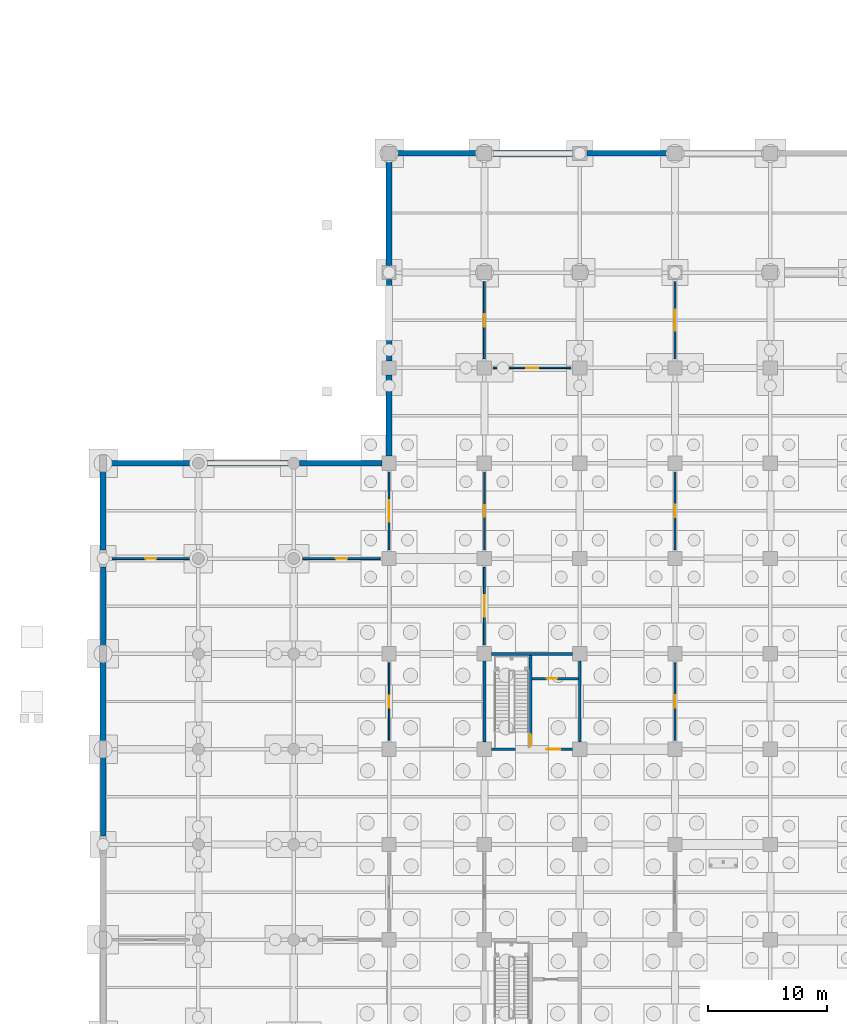
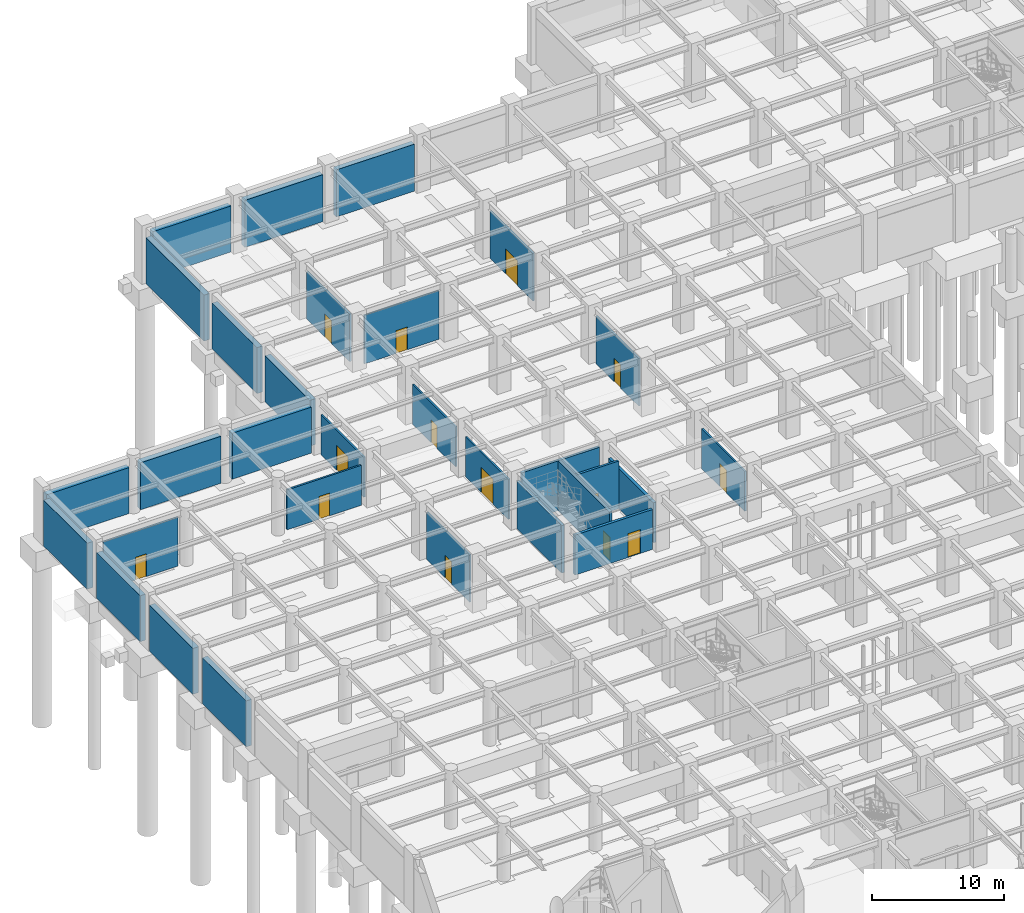
# One storey, part 79 of 97: 30 walls, 14 doors, 14 openings.
"""IFC4 building model written with IfcOpenShell, lengths in metres."""

from ifc_helpers import new_model, si_unit, direction, frame, frame_2d, origin, place, context, subcontext, project, spatial, rectangle, extrude, material, layer, layer_set, type_object, element, fill, save


model = new_model("IFC4")

# Units and contexts
model_context = context("Model", 3, precision=1e-05, world=origin(), true_north=direction((0.0, 1.0)))
body_context = subcontext(model_context, "Body", "Model", "MODEL_VIEW")
ifc_project = project(units=[si_unit("LENGTHUNIT", "METRE"), si_unit("AREAUNIT", "SQUARE_METRE"), si_unit("VOLUMEUNIT", "CUBIC_METRE"), si_unit("PLANEANGLEUNIT", "RADIAN"), si_unit("MASSUNIT", "GRAM", prefix="KILO")], contexts=[model_context])

# Site, building, storey
site_placement = place(None, origin())
site = spatial("IfcSite", under=ifc_project, at=site_placement, CompositionType="ELEMENT")
building_placement = place(site_placement, origin())
building = spatial("IfcBuilding", under=site, at=building_placement, Name="Haebicheon Civic Stadium", CompositionType="ELEMENT")
storey_placement = place(building_placement, frame((0.0, 0.0, -5.39990234375)))
storey = spatial("IfcBuildingStorey", under=building, at=storey_placement, Name="B1", CompositionType="ELEMENT", Elevation=-5.39990234375)

# Wall, opening, door
ifc_material_1 = material(Name="Concrete C40/50", Category="concrete")
ifc_layer_1 = layer(ifc_material_1, 0.239990234375, Name="Concrete C40/50")
ifc_layer_set_1 = layer_set([ifc_layer_1], Name="Concrete C40/50")
wall_type_1 = type_object("IfcWallType", Name="CW-SHR-240", PredefinedType="SHEAR", material=ifc_layer_set_1)
wall_1_placement = place(storey_placement, frame((32.60009765625, 128.0, 0.0), z_axis=(0.0, 0.0, 1.0), x_axis=(1.0, 0.0, 0.0)))
wall_1 = element("IfcWall", 1, at=wall_1_placement, inside=storey, type_object=wall_type_1, material=ifc_layer_set_1, Name="KC-05 B1 south core shear wall", PredefinedType="SHEAR", context=body_context, shape_type="SweptSolid", body=[
    extrude(rectangle(XDim=6.7998046875, YDim=0.239990234375, at=frame_2d((3.39990234375, 0.0))), origin(), (0.0, 0.0, 1.0), 3.68994140625),
])
opening_1_placement = place(wall_1_placement, frame((4.64990234375, 0.0, 0.0)))
opening_1 = element("IfcOpeningElement", 2, at=opening_1_placement, cuts=wall_1, Name="Opening D-B1-KC-05-LOB", PredefinedType="OPENING", context=body_context, shape_type="SweptSolid", body=[
    extrude(rectangle(XDim=1.10009765625, YDim=2.199951171875, at=frame_2d((0.550048828125, 1.10009765625))), frame((0.0, 0.1298828125, 0.0), z_axis=(0.0, -1.0, 0.0), x_axis=(1.0, 0.0, 0.0)), (0.0, 0.0, 1.0), 0.260009765625),
])
ifc_material_2 = material(Name="Galvanised painted steel SM355", Category="steel")
door_type_1 = type_object("IfcDoorType", Name="ID-FD-1100", OperationType="NOTDEFINED", PredefinedType="DOOR", material=ifc_material_2)
door_1_placement = place(opening_1_placement, origin())
door_1 = element("IfcDoor", 3, at=door_1_placement, inside=storey, type_object=door_type_1, material=ifc_material_2, Name="B1 KC-05 lobby fire door", OperationType="SINGLE_SWING_RIGHT", OverallHeight=2.199951171875, OverallWidth=1.10009765625, PredefinedType="DOOR", context=body_context, shape_type="SweptSolid", body=[
    extrude(rectangle(XDim=1.10009765625, YDim=2.199951171875, at=frame_2d((0.550048828125, 1.10009765625))), frame((0.0, 0.02490234375, 0.0), z_axis=(0.0, -1.0, 0.0), x_axis=(1.0, 0.0, 0.0)), (0.0, 0.0, 1.0), 0.050048828125),
])
fill(opening_1, door_1)

# Walls
wall_2_placement = place(storey_placement, frame((32.60009765625, 136.0, 0.0), z_axis=(0.0, 0.0, 1.0), x_axis=(1.0, 0.0, 0.0)))
element("IfcWall", 4, at=wall_2_placement, inside=storey, type_object=wall_type_1, material=ifc_layer_set_1, Name="KC-05 B1 north core shear wall", PredefinedType="SHEAR", context=body_context, shape_type="SweptSolid", body=[
    extrude(rectangle(XDim=6.7998046875, YDim=0.239990234375, at=frame_2d((3.39990234375, 0.0))), origin(), (0.0, 0.0, 1.0), 4.58984375),
])
wall_3_placement = place(storey_placement, frame((32.0, 128.60009765625, 0.0), z_axis=(0.0, 0.0, 1.0), x_axis=(0.0, 1.0, 0.0)))
element("IfcWall", 5, at=wall_3_placement, inside=storey, type_object=wall_type_1, material=ifc_layer_set_1, Name="KC-05 B1 west core shear wall", PredefinedType="SHEAR", context=body_context, shape_type="SweptSolid", body=[
    extrude(rectangle(XDim=6.7998046875, YDim=0.239990234375, at=frame_2d((3.39990234375, 0.0))), origin(), (0.0, 0.0, 1.0), 4.389892578125),
])
wall_4_placement = place(storey_placement, frame((40.0, 128.60009765625, 0.0), z_axis=(0.0, 0.0, 1.0), x_axis=(0.0, 1.0, 0.0)))
element("IfcWall", 6, at=wall_4_placement, inside=storey, type_object=wall_type_1, material=ifc_layer_set_1, Name="KC-05 B1 east core shear wall", PredefinedType="SHEAR", context=body_context, shape_type="SweptSolid", body=[
    extrude(rectangle(XDim=6.7998046875, YDim=0.239990234375, at=frame_2d((3.39990234375, 0.0))), origin(), (0.0, 0.0, 1.0), 3.68994140625),
])

# Wall, opening, door
wall_5_placement = place(storey_placement, frame((35.8798828125, 128.1201171875, 0.0), z_axis=(0.0, 0.0, 1.0), x_axis=(0.0, 1.0, 0.0)))
wall_5 = element("IfcWall", 7, at=wall_5_placement, inside=storey, type_object=wall_type_1, material=ifc_layer_set_1, Name="KC-05 B1 stair-lobby dividing shear wall", PredefinedType="SHEAR", context=body_context, shape_type="SweptSolid", body=[
    extrude(rectangle(XDim=7.759765625, YDim=0.239990234375, at=frame_2d((3.8798828125, 0.0))), origin(), (0.0, 0.0, 1.0), 4.58984375),
])
opening_2_placement = place(wall_5_placement, frame((0.080078125, 0.0, 0.0)))
opening_2 = element("IfcOpeningElement", 8, at=opening_2_placement, cuts=wall_5, Name="Opening D-B1-KC-05-STR", PredefinedType="OPENING", context=body_context, shape_type="SweptSolid", body=[
    extrude(rectangle(XDim=1.050048828125, YDim=2.14990234375, at=frame_2d((0.52490234375, 1.074951171875))), frame((0.0, 0.1298828125, 0.0), z_axis=(0.0, -1.0, 0.0), x_axis=(1.0, 0.0, 0.0)), (0.0, 0.0, 1.0), 0.260009765625),
])
ifc_material_3 = material(Name="Galvanised painted steel SM355", Category="steel")
door_type_2 = type_object("IfcDoorType", Name="ID-FD-1050", OperationType="NOTDEFINED", PredefinedType="DOOR", material=ifc_material_3)
door_2_placement = place(opening_2_placement, origin())
door_2 = element("IfcDoor", 9, at=door_2_placement, inside=storey, type_object=door_type_2, material=ifc_material_3, Name="B1 ST-05 stairwell escape door", OperationType="SINGLE_SWING_LEFT", OverallHeight=2.14990234375, OverallWidth=1.050048828125, PredefinedType="DOOR", context=body_context, shape_type="SweptSolid", body=[
    extrude(rectangle(XDim=1.050048828125, YDim=2.14990234375, at=frame_2d((0.52490234375, 1.074951171875))), frame((0.0, 0.02490234375, 0.0), z_axis=(0.0, -1.0, 0.0), x_axis=(1.0, 0.0, 0.0)), (0.0, 0.0, 1.0), 0.050048828125),
])
fill(opening_2, door_2)

# Walls
ifc_material_4 = material(Name="Concrete C40/50", Category="concrete")
ifc_layer_2 = layer(ifc_material_4, 0.4599609375, Name="Concrete C40/50")
ifc_layer_set_2 = layer_set([ifc_layer_2], Name="Concrete C40/50")
wall_type_2 = type_object("IfcWallType", Name="EW-RET-460", PredefinedType="STANDARD", material=ifc_layer_set_2)
for number, where, z_axis, x_axis, name in (
    (10, (0.0, 120.699951171875, 0.0), (0.0, 0.0, 1.0), (0.0, 1.0, 0.0), "B1 retaining wall 00-15-W"),
    (11, (0.0, 136.699951171875, 0.0), (0.0, 0.0, 1.0), (0.0, 1.0, 0.0), "B1 retaining wall 00-17-W"),
):
    element("IfcWall", number, at=place(storey_placement, frame(where, z_axis=z_axis, x_axis=x_axis)), inside=storey, type_object=wall_type_2, material=ifc_layer_set_2, Name=name, PredefinedType="STANDARD", context=body_context, shape_type="SweptSolid", body=[
        extrude(rectangle(XDim=6.60009765625, YDim=0.4599609375, at=frame_2d((3.300048828125, 0.0))), origin(), (0.0, 0.0, 1.0), 4.239990234375),
    ])
wall_6_placement = place(storey_placement, frame((0.300048828125, 152.0, 0.0), z_axis=(0.0, 0.0, 1.0), x_axis=(1.0, 0.0, 0.0)))
element("IfcWall", 12, at=wall_6_placement, inside=storey, type_object=wall_type_2, material=ifc_layer_set_2, Name="B1 retaining wall 00-19-N", PredefinedType="STANDARD", context=body_context, shape_type="SweptSolid", body=[
    extrude(rectangle(XDim=7.199951171875, YDim=0.4599609375, at=frame_2d((3.60009765625, 0.0))), origin(), (0.0, 0.0, 1.0), 4.239990234375),
])
wall_7_placement = place(storey_placement, frame((16.5, 152.0, 0.0), z_axis=(0.0, 0.0, 1.0), x_axis=(1.0, 0.0, 0.0)))
element("IfcWall", 13, at=wall_7_placement, inside=storey, type_object=wall_type_2, material=ifc_layer_set_2, Name="B1 retaining wall 02-19-N", PredefinedType="STANDARD", context=body_context, shape_type="SweptSolid", body=[
    extrude(rectangle(XDim=6.89990234375, YDim=0.4599609375, at=frame_2d((3.449951171875, 0.0))), origin(), (0.0, 0.0, 1.0), 4.239990234375),
])
for number, where, z_axis, x_axis, name in (
    (14, (24.0, 160.60009765625, 0.0), (0.0, 0.0, 1.0), (0.0, 1.0, 0.0), "B1 retaining wall 03-20-W"),
    (15, (24.60009765625, 178.0, 0.0), (0.0, 0.0, 1.0), (1.0, 0.0, 0.0), "B1 retaining wall 03-22-N"),
):
    element("IfcWall", number, at=place(storey_placement, frame(where, z_axis=z_axis, x_axis=x_axis)), inside=storey, type_object=wall_type_2, material=ifc_layer_set_2, Name=name, PredefinedType="STANDARD", context=body_context, shape_type="SweptSolid", body=[
        extrude(rectangle(XDim=6.7998046875, YDim=0.4599609375, at=frame_2d((3.39990234375, 0.0))), origin(), (0.0, 0.0, 1.0), 4.239990234375),
    ])
wall_8_placement = place(storey_placement, frame((40.60009765625, 178.0, 0.0), z_axis=(0.0, 0.0, 1.0), x_axis=(1.0, 0.0, 0.0)))
element("IfcWall", 16, at=wall_8_placement, inside=storey, type_object=wall_type_2, material=ifc_layer_set_2, Name="B1 retaining wall 05-22-N", PredefinedType="STANDARD", context=body_context, shape_type="SweptSolid", body=[
    extrude(rectangle(XDim=6.7998046875, YDim=0.4599609375, at=frame_2d((3.39990234375, 0.0))), origin(), (0.0, 0.0, 1.0), 4.33984375),
])
ifc_material_5 = material(Name="Concrete C40/50", Category="concrete")
ifc_layer_3 = layer(ifc_material_5, 0.5, Name="Concrete C40/50")
ifc_layer_set_3 = layer_set([ifc_layer_3], Name="Concrete C40/50")
wall_type_3 = type_object("IfcWallType", Name="EW-RET-500", PredefinedType="STANDARD", material=ifc_layer_set_3)
for number, where, z_axis, x_axis, name in (
    (17, (0.0, 128.699951171875, 0.0), (0.0, 0.0, 1.0), (0.0, 1.0, 0.0), "B1 retaining wall 00-16-W"),
    (18, (0.0, 144.699951171875, 0.0), (0.0, 0.0, 1.0), (0.0, 1.0, 0.0), "B1 retaining wall 00-18-W"),
):
    element("IfcWall", number, at=place(storey_placement, frame(where, z_axis=z_axis, x_axis=x_axis)), inside=storey, type_object=wall_type_3, material=ifc_layer_set_3, Name=name, PredefinedType="STANDARD", context=body_context, shape_type="SweptSolid", body=[
        extrude(rectangle(XDim=6.60009765625, YDim=0.5, at=frame_2d((3.300048828125, 0.0))), origin(), (0.0, 0.0, 1.0), 4.239990234375),
    ])
wall_9_placement = place(storey_placement, frame((8.5, 152.0, 0.0), z_axis=(0.0, 0.0, 1.0), x_axis=(1.0, 0.0, 0.0)))
element("IfcWall", 19, at=wall_9_placement, inside=storey, type_object=wall_type_3, material=ifc_layer_set_3, Name="B1 retaining wall 01-19-N", PredefinedType="STANDARD", context=body_context, shape_type="SweptSolid", body=[
    extrude(rectangle(XDim=7.0, YDim=0.5, at=frame_2d((3.5, 0.0))), origin(), (0.0, 0.0, 1.0), 4.33984375),
])
wall_10_placement = place(storey_placement, frame((24.0, 152.60009765625, 0.0), z_axis=(0.0, 0.0, 1.0), x_axis=(0.0, 1.0, 0.0)))
element("IfcWall", 20, at=wall_10_placement, inside=storey, type_object=wall_type_3, material=ifc_layer_set_3, Name="B1 retaining wall 03-19-W", PredefinedType="STANDARD", context=body_context, shape_type="SweptSolid", body=[
    extrude(rectangle(XDim=6.7998046875, YDim=0.5, at=frame_2d((3.39990234375, 0.0))), origin(), (0.0, 0.0, 1.0), 4.239990234375),
])
wall_11_placement = place(storey_placement, frame((24.0, 168.60009765625, 0.0), z_axis=(0.0, 0.0, 1.0), x_axis=(0.0, 1.0, 0.0)))
element("IfcWall", 21, at=wall_11_placement, inside=storey, type_object=wall_type_3, material=ifc_layer_set_3, Name="B1 retaining wall 03-21-W", PredefinedType="STANDARD", context=body_context, shape_type="SweptSolid", body=[
    extrude(rectangle(XDim=8.7998046875, YDim=0.5, at=frame_2d((4.39990234375, 0.0))), origin(), (0.0, 0.0, 1.0), 4.239990234375),
])
wall_12_placement = place(storey_placement, frame((32.60009765625, 178.0, 0.0), z_axis=(0.0, 0.0, 1.0), x_axis=(1.0, 0.0, 0.0)))
element("IfcWall", 22, at=wall_12_placement, inside=storey, type_object=wall_type_3, material=ifc_layer_set_3, Name="B1 retaining wall 04-22-N", PredefinedType="STANDARD", context=body_context, shape_type="SweptSolid", body=[
    extrude(rectangle(XDim=6.7998046875, YDim=0.5, at=frame_2d((3.39990234375, 0.0))), origin(), (0.0, 0.0, 1.0), 4.33984375),
])

# Wall, opening, door
ifc_material_6 = material(Name="Concrete C35/45", Category="concrete")
ifc_layer_4 = layer(ifc_material_6, 0.199951171875, Name="Concrete C35/45")
ifc_layer_set_4 = layer_set([ifc_layer_4], Name="Concrete C35/45")
wall_type_4 = type_object("IfcWallType", Name="IW-FIR-200", PredefinedType="PARTITIONING", material=ifc_layer_set_4)
wall_13_placement = place(storey_placement, frame((36.0, 133.919921875, 0.0), z_axis=(0.0, 0.0, 1.0), x_axis=(1.0, 0.0, 0.0)))
wall_13 = element("IfcWall", 23, at=wall_13_placement, inside=storey, type_object=wall_type_4, material=ifc_layer_set_4, Name="KC-05 B1 service riser wall", PredefinedType="PARTITIONING", context=body_context, shape_type="SweptSolid", body=[
    extrude(rectangle(XDim=3.8798828125, YDim=0.199951171875, at=frame_2d((1.93994140625, 0.0))), origin(), (0.0, 0.0, 1.0), 4.389892578125),
])
opening_3_placement = place(wall_13_placement, frame((1.25, 0.0, 0.0)))
opening_3 = element("IfcOpeningElement", 24, at=opening_3_placement, cuts=wall_13, Name="Opening D-B1-KC-05-RSR", PredefinedType="OPENING", context=body_context, shape_type="SweptSolid", body=[
    extrude(rectangle(XDim=0.85009765625, YDim=2.050048828125, at=frame_2d((0.425048828125, 1.02490234375))), frame((0.0, 0.10986328125, 0.0), z_axis=(0.0, -1.0, 0.0), x_axis=(1.0, 0.0, 0.0)), (0.0, 0.0, 1.0), 0.219970703125),
])
ifc_material_7 = material(Name="Galvanised painted steel SM355", Category="steel")
door_type_3 = type_object("IfcDoorType", Name="ID-RSR-0850", OperationType="NOTDEFINED", PredefinedType="TRAPDOOR", material=ifc_material_7)
door_3_placement = place(opening_3_placement, origin())
door_3 = element("IfcDoor", 25, at=door_3_placement, inside=storey, type_object=door_type_3, material=ifc_material_7, Name="B1 KC-05 riser access door", OperationType="SINGLE_SWING_RIGHT", OverallHeight=2.050048828125, OverallWidth=0.85009765625, PredefinedType="TRAPDOOR", context=body_context, shape_type="SweptSolid", body=[
    extrude(rectangle(XDim=0.85009765625, YDim=2.050048828125, at=frame_2d((0.425048828125, 1.02490234375))), frame((0.0, 0.02490234375, 0.0), z_axis=(0.0, -1.0, 0.0), x_axis=(1.0, 0.0, 0.0)), (0.0, 0.0, 1.0), 0.050048828125),
])
fill(opening_3, door_3)

ifc_material_8 = material(Name="Anodised aluminium acoustic panel", Category="aluminium")
ifc_layer_5 = layer(ifc_material_8, 0.139892578125, Name="Anodised aluminium acoustic panel")
ifc_layer_set_5 = layer_set([ifc_layer_5], Name="Anodised aluminium acoustic panel")
wall_type_5 = type_object("IfcWallType", Name="IW-MOV-140", PredefinedType="MOVABLE", material=ifc_layer_set_5)
wall_14_placement = place(storey_placement, frame((32.0, 144.75, 0.0), z_axis=(0.0, 0.0, 1.0), x_axis=(0.0, 1.0, 0.0)))
wall_14 = element("IfcWall", 26, at=wall_14_placement, inside=storey, type_object=wall_type_5, material=ifc_layer_set_5, Name="B1 Home Team Changing Room partition wall", PredefinedType="MOVABLE", context=body_context, shape_type="SweptSolid", body=[
    extrude(rectangle(XDim=6.5, YDim=0.139892578125, at=frame_2d((3.25, 0.0))), origin(), (0.0, 0.0, 1.0), 3.68994140625),
])
opening_4_placement = place(wall_14_placement, frame((2.77490234375, 0.0, 0.0)))
opening_4 = element("IfcOpeningElement", 27, at=opening_4_placement, cuts=wall_14, Name="Opening D-B1-019", PredefinedType="OPENING", context=body_context, shape_type="SweptSolid", body=[
    extrude(rectangle(XDim=0.949951171875, YDim=2.10009765625, at=frame_2d((0.47509765625, 1.050048828125))), frame((0.0, 0.079833984375, 0.0), z_axis=(0.0, -1.0, 0.0), x_axis=(1.0, 0.0, 0.0)), (0.0, 0.0, 1.0), 0.159912109375),
])
ifc_material_9 = material(Name="Engineered hardwood timber", Category="wood")
door_type_4 = type_object("IfcDoorType", Name="ID-RM-0950", OperationType="NOTDEFINED", PredefinedType="DOOR", material=ifc_material_9)
door_4_placement = place(opening_4_placement, origin())
door_4 = element("IfcDoor", 28, at=door_4_placement, inside=storey, type_object=door_type_4, material=ifc_material_9, Name="B1 Home Team Changing Room entrance door D-B1-019", OperationType="SINGLE_SWING_LEFT", OverallHeight=2.10009765625, OverallWidth=0.949951171875, PredefinedType="DOOR", context=body_context, shape_type="SweptSolid", body=[
    extrude(rectangle(XDim=0.949951171875, YDim=2.10009765625, at=frame_2d((0.47509765625, 1.050048828125))), frame((0.0, 0.02490234375, 0.0), z_axis=(0.0, -1.0, 0.0), x_axis=(1.0, 0.0, 0.0)), (0.0, 0.0, 1.0), 0.050048828125),
])
fill(opening_4, door_4)

ifc_material_10 = material(Name="Gypsum plasterboard on steel studs", Category="gypsum")
ifc_layer_6 = layer(ifc_material_10, 0.1298828125, Name="Gypsum plasterboard on steel studs")
ifc_layer_set_6 = layer_set([ifc_layer_6], Name="Gypsum plasterboard on steel studs")
wall_type_6 = type_object("IfcWallType", Name="IW-PRT-130", PredefinedType="PARTITIONING", material=ifc_layer_set_6)
wall_15_placement = place(storey_placement, frame((24.0, 128.75, 0.0), z_axis=(0.0, 0.0, 1.0), x_axis=(0.0, 1.0, 0.0)))
wall_15 = element("IfcWall", 29, at=wall_15_placement, inside=storey, type_object=wall_type_6, material=ifc_layer_set_6, Name="B1 Visiting Team Changing Room partition wall", PredefinedType="PARTITIONING", context=body_context, shape_type="SweptSolid", body=[
    extrude(rectangle(XDim=6.5, YDim=0.1298828125, at=frame_2d((3.25, 0.0))), origin(), (0.0, 0.0, 1.0), 4.389892578125),
])
opening_5_placement = place(wall_15_placement, frame((2.75, 0.0, 0.0)))
opening_5 = element("IfcOpeningElement", 30, at=opening_5_placement, cuts=wall_15, Name="Opening D-B1-008", PredefinedType="OPENING", context=body_context, shape_type="SweptSolid", body=[
    extrude(rectangle(XDim=1.0, YDim=2.10009765625, at=frame_2d((0.5, 1.050048828125))), frame((0.0, 0.074951171875, 0.0), z_axis=(0.0, -1.0, 0.0), x_axis=(1.0, 0.0, 0.0)), (0.0, 0.0, 1.0), 0.14990234375),
])
ifc_material_11 = material(Name="Engineered hardwood timber", Category="wood")
door_type_5 = type_object("IfcDoorType", Name="ID-RM-1000", OperationType="NOTDEFINED", PredefinedType="DOOR", material=ifc_material_11)
door_5_placement = place(opening_5_placement, origin())
door_5 = element("IfcDoor", 31, at=door_5_placement, inside=storey, type_object=door_type_5, material=ifc_material_11, Name="B1 Visiting Team Changing Room entrance door D-B1-008", OperationType="SINGLE_SWING_RIGHT", OverallHeight=2.10009765625, OverallWidth=1.0, PredefinedType="DOOR", context=body_context, shape_type="SweptSolid", body=[
    extrude(rectangle(XDim=1.0, YDim=2.10009765625, at=frame_2d((0.5, 1.050048828125))), frame((0.0, 0.02490234375, 0.0), z_axis=(0.0, -1.0, 0.0), x_axis=(1.0, 0.0, 0.0)), (0.0, 0.0, 1.0), 0.050048828125),
])
fill(opening_5, door_5)

wall_16_placement = place(storey_placement, frame((32.75, 160.0, 0.0), z_axis=(0.0, 0.0, 1.0), x_axis=(1.0, 0.0, 0.0)))
wall_16 = element("IfcWall", 32, at=wall_16_placement, inside=storey, type_object=wall_type_6, material=ifc_layer_set_6, Name="B1 Visiting Team Changing Room partition wall", PredefinedType="PARTITIONING", context=body_context, shape_type="SweptSolid", body=[
    extrude(rectangle(XDim=6.5, YDim=0.1298828125, at=frame_2d((3.25, 0.0))), origin(), (0.0, 0.0, 1.0), 4.489990234375),
])
opening_6_placement = place(wall_16_placement, frame((2.75, 0.0, 0.0)))
opening_6 = element("IfcOpeningElement", 33, at=opening_6_placement, cuts=wall_16, Name="Opening D-B1-020", PredefinedType="OPENING", context=body_context, shape_type="SweptSolid", body=[
    extrude(rectangle(XDim=1.0, YDim=2.10009765625, at=frame_2d((0.5, 1.050048828125))), frame((0.0, 0.074951171875, 0.0), z_axis=(0.0, -1.0, 0.0), x_axis=(1.0, 0.0, 0.0)), (0.0, 0.0, 1.0), 0.14990234375),
])
door_6_placement = place(opening_6_placement, origin())
door_6 = element("IfcDoor", 34, at=door_6_placement, inside=storey, type_object=door_type_5, material=ifc_material_11, Name="B1 Visiting Team Changing Room entrance door D-B1-020", OperationType="SINGLE_SWING_RIGHT", OverallHeight=2.10009765625, OverallWidth=1.0, PredefinedType="DOOR", context=body_context, shape_type="SweptSolid", body=[
    extrude(rectangle(XDim=1.0, YDim=2.10009765625, at=frame_2d((0.5, 1.050048828125))), frame((0.0, 0.02490234375, 0.0), z_axis=(0.0, -1.0, 0.0), x_axis=(1.0, 0.0, 0.0)), (0.0, 0.0, 1.0), 0.050048828125),
])
fill(opening_6, door_6)

ifc_material_12 = material(Name="Gypsum plasterboard on steel studs", Category="gypsum")
ifc_layer_7 = layer(ifc_material_12, 0.14990234375, Name="Gypsum plasterboard on steel studs")
ifc_layer_set_7 = layer_set([ifc_layer_7], Name="Gypsum plasterboard on steel studs")
wall_type_7 = type_object("IfcWallType", Name="IW-PRT-150", PredefinedType="PARTITIONING", material=ifc_layer_set_7)
wall_17_placement = place(storey_placement, frame((24.0, 144.75, 0.0), z_axis=(0.0, 0.0, 1.0), x_axis=(0.0, 1.0, 0.0)))
wall_17 = element("IfcWall", 35, at=wall_17_placement, inside=storey, type_object=wall_type_7, material=ifc_layer_set_7, Name="B1 Athlete Indoor Warm-Up Sprint Hall partition wall", PredefinedType="PARTITIONING", context=body_context, shape_type="SweptSolid", body=[
    extrude(rectangle(XDim=6.5, YDim=0.14990234375, at=frame_2d((3.25, 0.0))), origin(), (0.0, 0.0, 1.0), 3.68994140625),
])
opening_7_placement = place(wall_17_placement, frame((2.35009765625, 0.0, 0.0)))
opening_7 = element("IfcOpeningElement", 36, at=opening_7_placement, cuts=wall_17, Name="Opening D-B1-009", PredefinedType="OPENING", context=body_context, shape_type="SweptSolid", body=[
    extrude(rectangle(XDim=1.800048828125, YDim=2.300048828125, at=frame_2d((0.89990234375, 1.14990234375))), frame((0.0, 0.0849609375, 0.0), z_axis=(0.0, -1.0, 0.0), x_axis=(1.0, 0.0, 0.0)), (0.0, 0.0, 1.0), 0.169921875),
])
ifc_material_13 = material(Name="Galvanised painted steel SM355", Category="steel")
door_type_6 = type_object("IfcDoorType", Name="ID-DBL-1800", OperationType="NOTDEFINED", PredefinedType="DOOR", material=ifc_material_13)
door_7_placement = place(opening_7_placement, origin())
door_7 = element("IfcDoor", 37, at=door_7_placement, inside=storey, type_object=door_type_6, material=ifc_material_13, Name="B1 Athlete Indoor Warm-Up Sprint Hall entrance door D-B1-009", OperationType="DOUBLE_SWING_LEFT", OverallHeight=2.300048828125, OverallWidth=1.800048828125, PredefinedType="DOOR", context=body_context, shape_type="SweptSolid", body=[
    extrude(rectangle(XDim=1.800048828125, YDim=2.300048828125, at=frame_2d((0.89990234375, 1.14990234375))), frame((0.0, 0.02490234375, 0.0), z_axis=(0.0, -1.0, 0.0), x_axis=(1.0, 0.0, 0.0)), (0.0, 0.0, 1.0), 0.050048828125),
])
fill(opening_7, door_7)

wall_18_placement = place(storey_placement, frame((32.0, 160.75, 0.0), z_axis=(0.0, 0.0, 1.0), x_axis=(0.0, 1.0, 0.0)))
wall_18 = element("IfcWall", 38, at=wall_18_placement, inside=storey, type_object=wall_type_7, material=ifc_layer_set_7, Name="B1 Match Officials Locker Suite partition wall", PredefinedType="PARTITIONING", context=body_context, shape_type="SweptSolid", body=[
    extrude(rectangle(XDim=6.5, YDim=0.14990234375, at=frame_2d((3.25, 0.0))), origin(), (0.0, 0.0, 1.0), 4.389892578125),
])
opening_8_placement = place(wall_18_placement, frame((2.72509765625, 0.0, 0.0)))
opening_8 = element("IfcOpeningElement", 39, at=opening_8_placement, cuts=wall_18, Name="Opening D-B1-010", PredefinedType="OPENING", context=body_context, shape_type="SweptSolid", body=[
    extrude(rectangle(XDim=1.050048828125, YDim=2.14990234375, at=frame_2d((0.52490234375, 1.074951171875))), frame((0.0, 0.0849609375, 0.0), z_axis=(0.0, -1.0, 0.0), x_axis=(1.0, 0.0, 0.0)), (0.0, 0.0, 1.0), 0.169921875),
])
ifc_material_14 = material(Name="Engineered hardwood timber", Category="wood")
door_type_7 = type_object("IfcDoorType", Name="ID-RM-1050", OperationType="NOTDEFINED", PredefinedType="DOOR", material=ifc_material_14)
door_8_placement = place(opening_8_placement, origin())
door_8 = element("IfcDoor", 40, at=door_8_placement, inside=storey, type_object=door_type_7, material=ifc_material_14, Name="B1 Match Officials Locker Suite entrance door D-B1-010", OperationType="SINGLE_SWING_LEFT", OverallHeight=2.14990234375, OverallWidth=1.050048828125, PredefinedType="DOOR", context=body_context, shape_type="SweptSolid", body=[
    extrude(rectangle(XDim=1.050048828125, YDim=2.14990234375, at=frame_2d((0.52490234375, 1.074951171875))), frame((0.0, 0.02490234375, 0.0), z_axis=(0.0, -1.0, 0.0), x_axis=(1.0, 0.0, 0.0)), (0.0, 0.0, 1.0), 0.050048828125),
])
fill(opening_8, door_8)

wall_19_placement = place(storey_placement, frame((32.0, 136.75, 0.0), z_axis=(0.0, 0.0, 1.0), x_axis=(0.0, 1.0, 0.0)))
wall_19 = element("IfcWall", 41, at=wall_19_placement, inside=storey, type_object=wall_type_7, material=ifc_layer_set_7, Name="B1 Post-Match Press Conference Hall partition wall", PredefinedType="PARTITIONING", context=body_context, shape_type="SweptSolid", body=[
    extrude(rectangle(XDim=6.5, YDim=0.14990234375, at=frame_2d((3.25, 0.0))), origin(), (0.0, 0.0, 1.0), 3.68994140625),
])
opening_9_placement = place(wall_19_placement, frame((2.35009765625, 0.0, 0.0)))
opening_9 = element("IfcOpeningElement", 42, at=opening_9_placement, cuts=wall_19, Name="Opening D-B1-018", PredefinedType="OPENING", context=body_context, shape_type="SweptSolid", body=[
    extrude(rectangle(XDim=1.800048828125, YDim=2.300048828125, at=frame_2d((0.89990234375, 1.14990234375))), frame((0.0, 0.0849609375, 0.0), z_axis=(0.0, -1.0, 0.0), x_axis=(1.0, 0.0, 0.0)), (0.0, 0.0, 1.0), 0.169921875),
])
door_9_placement = place(opening_9_placement, origin())
door_9 = element("IfcDoor", 43, at=door_9_placement, inside=storey, type_object=door_type_6, material=ifc_material_13, Name="B1 Post-Match Press Conference Hall entrance door D-B1-018", OperationType="DOUBLE_SWING_LEFT", OverallHeight=2.300048828125, OverallWidth=1.800048828125, PredefinedType="DOOR", context=body_context, shape_type="SweptSolid", body=[
    extrude(rectangle(XDim=1.800048828125, YDim=2.300048828125, at=frame_2d((0.89990234375, 1.14990234375))), frame((0.0, 0.02490234375, 0.0), z_axis=(0.0, -1.0, 0.0), x_axis=(1.0, 0.0, 0.0)), (0.0, 0.0, 1.0), 0.050048828125),
])
fill(opening_9, door_9)

wall_20_placement = place(storey_placement, frame((48.0, 128.75, 0.0), z_axis=(0.0, 0.0, 1.0), x_axis=(0.0, 1.0, 0.0)))
wall_20 = element("IfcWall", 44, at=wall_20_placement, inside=storey, type_object=wall_type_7, material=ifc_layer_set_7, Name="B1 Match Officials Locker Suite partition wall", PredefinedType="PARTITIONING", context=body_context, shape_type="SweptSolid", body=[
    extrude(rectangle(XDim=6.5, YDim=0.14990234375, at=frame_2d((3.25, 0.0))), origin(), (0.0, 0.0, 1.0), 3.68994140625),
])
opening_10_placement = place(wall_20_placement, frame((2.72509765625, 0.0, 0.0)))
opening_10 = element("IfcOpeningElement", 45, at=opening_10_placement, cuts=wall_20, Name="Opening D-B1-028", PredefinedType="OPENING", context=body_context, shape_type="SweptSolid", body=[
    extrude(rectangle(XDim=1.050048828125, YDim=2.14990234375, at=frame_2d((0.52490234375, 1.074951171875))), frame((0.0, 0.0849609375, 0.0), z_axis=(0.0, -1.0, 0.0), x_axis=(1.0, 0.0, 0.0)), (0.0, 0.0, 1.0), 0.169921875),
])
door_10_placement = place(opening_10_placement, origin())
door_10 = element("IfcDoor", 46, at=door_10_placement, inside=storey, type_object=door_type_7, material=ifc_material_14, Name="B1 Match Officials Locker Suite entrance door D-B1-028", OperationType="SINGLE_SWING_LEFT", OverallHeight=2.14990234375, OverallWidth=1.050048828125, PredefinedType="DOOR", context=body_context, shape_type="SweptSolid", body=[
    extrude(rectangle(XDim=1.050048828125, YDim=2.14990234375, at=frame_2d((0.52490234375, 1.074951171875))), frame((0.0, 0.02490234375, 0.0), z_axis=(0.0, -1.0, 0.0), x_axis=(1.0, 0.0, 0.0)), (0.0, 0.0, 1.0), 0.050048828125),
])
fill(opening_10, door_10)

wall_21_placement = place(storey_placement, frame((48.0, 144.75, 0.0), z_axis=(0.0, 0.0, 1.0), x_axis=(0.0, 1.0, 0.0)))
wall_21 = element("IfcWall", 47, at=wall_21_placement, inside=storey, type_object=wall_type_7, material=ifc_layer_set_7, Name="B1 Doping Control and Medical Examination Suite partition wall", PredefinedType="PARTITIONING", context=body_context, shape_type="SweptSolid", body=[
    extrude(rectangle(XDim=6.5, YDim=0.14990234375, at=frame_2d((3.25, 0.0))), origin(), (0.0, 0.0, 1.0), 4.389892578125),
])
opening_11_placement = place(wall_21_placement, frame((2.72509765625, 0.0, 0.0)))
opening_11 = element("IfcOpeningElement", 48, at=opening_11_placement, cuts=wall_21, Name="Opening D-B1-029", PredefinedType="OPENING", context=body_context, shape_type="SweptSolid", body=[
    extrude(rectangle(XDim=1.050048828125, YDim=2.14990234375, at=frame_2d((0.52490234375, 1.074951171875))), frame((0.0, 0.0849609375, 0.0), z_axis=(0.0, -1.0, 0.0), x_axis=(1.0, 0.0, 0.0)), (0.0, 0.0, 1.0), 0.169921875),
])
door_11_placement = place(opening_11_placement, origin())
door_11 = element("IfcDoor", 49, at=door_11_placement, inside=storey, type_object=door_type_7, material=ifc_material_14, Name="B1 Doping Control and Medical Examination Suite entrance door D-B1-029", OperationType="SINGLE_SWING_RIGHT", OverallHeight=2.14990234375, OverallWidth=1.050048828125, PredefinedType="DOOR", context=body_context, shape_type="SweptSolid", body=[
    extrude(rectangle(XDim=1.050048828125, YDim=2.14990234375, at=frame_2d((0.52490234375, 1.074951171875))), frame((0.0, 0.02490234375, 0.0), z_axis=(0.0, -1.0, 0.0), x_axis=(1.0, 0.0, 0.0)), (0.0, 0.0, 1.0), 0.050048828125),
])
fill(opening_11, door_11)

wall_22_placement = place(storey_placement, frame((48.0, 160.75, 0.0), z_axis=(0.0, 0.0, 1.0), x_axis=(0.0, 1.0, 0.0)))
wall_22 = element("IfcWall", 50, at=wall_22_placement, inside=storey, type_object=wall_type_7, material=ifc_layer_set_7, Name="B1 Post-Match Press Conference Hall partition wall", PredefinedType="PARTITIONING", context=body_context, shape_type="SweptSolid", body=[
    extrude(rectangle(XDim=6.5, YDim=0.14990234375, at=frame_2d((3.25, 0.0))), origin(), (0.0, 0.0, 1.0), 4.389892578125),
])
opening_12_placement = place(wall_22_placement, frame((2.35009765625, 0.0, 0.0)))
opening_12 = element("IfcOpeningElement", 51, at=opening_12_placement, cuts=wall_22, Name="Opening D-B1-030", PredefinedType="OPENING", context=body_context, shape_type="SweptSolid", body=[
    extrude(rectangle(XDim=1.800048828125, YDim=2.300048828125, at=frame_2d((0.89990234375, 1.14990234375))), frame((0.0, 0.0849609375, 0.0), z_axis=(0.0, -1.0, 0.0), x_axis=(1.0, 0.0, 0.0)), (0.0, 0.0, 1.0), 0.169921875),
])
door_12_placement = place(opening_12_placement, origin())
door_12 = element("IfcDoor", 52, at=door_12_placement, inside=storey, type_object=door_type_6, material=ifc_material_13, Name="B1 Post-Match Press Conference Hall entrance door D-B1-030", OperationType="DOUBLE_SWING_LEFT", OverallHeight=2.300048828125, OverallWidth=1.800048828125, PredefinedType="DOOR", context=body_context, shape_type="SweptSolid", body=[
    extrude(rectangle(XDim=1.800048828125, YDim=2.300048828125, at=frame_2d((0.89990234375, 1.14990234375))), frame((0.0, 0.02490234375, 0.0), z_axis=(0.0, -1.0, 0.0), x_axis=(1.0, 0.0, 0.0)), (0.0, 0.0, 1.0), 0.050048828125),
])
fill(opening_12, door_12)

ifc_material_15 = material(Name="Concrete C35/45", Category="concrete")
ifc_layer_8 = layer(ifc_material_15, 0.159912109375, Name="Concrete C35/45")
ifc_layer_set_8 = layer_set([ifc_layer_8], Name="Concrete C35/45")
wall_type_8 = type_object("IfcWallType", Name="IW-PRT-160", PredefinedType="PARTITIONING", material=ifc_layer_set_8)
wall_23_placement = place(storey_placement, frame((0.75, 144.0, 0.0), z_axis=(0.0, 0.0, 1.0), x_axis=(1.0, 0.0, 0.0)))
wall_23 = element("IfcWall", 53, at=wall_23_placement, inside=storey, type_object=wall_type_8, material=ifc_layer_set_8, Name="B1 Bicycle Parking and Locker Store partition wall", PredefinedType="PARTITIONING", context=body_context, shape_type="SweptSolid", body=[
    extrude(rectangle(XDim=6.5, YDim=0.159912109375, at=frame_2d((3.25, 0.0))), origin(), (0.0, 0.0, 1.0), 4.489990234375),
])
opening_13_placement = place(wall_23_placement, frame((2.77490234375, 0.0, 0.0)))
opening_13 = element("IfcOpeningElement", 54, at=opening_13_placement, cuts=wall_23, Name="Opening D-B1-099", PredefinedType="OPENING", context=body_context, shape_type="SweptSolid", body=[
    extrude(rectangle(XDim=0.949951171875, YDim=2.10009765625, at=frame_2d((0.47509765625, 1.050048828125))), frame((0.0, 0.08984375, 0.0), z_axis=(0.0, -1.0, 0.0), x_axis=(1.0, 0.0, 0.0)), (0.0, 0.0, 1.0), 0.179931640625),
])
door_13_placement = place(opening_13_placement, origin())
door_13 = element("IfcDoor", 55, at=door_13_placement, inside=storey, type_object=door_type_4, material=ifc_material_9, Name="B1 Bicycle Parking and Locker Store entrance door D-B1-099", OperationType="SINGLE_SWING_LEFT", OverallHeight=2.10009765625, OverallWidth=0.949951171875, PredefinedType="DOOR", context=body_context, shape_type="SweptSolid", body=[
    extrude(rectangle(XDim=0.949951171875, YDim=2.10009765625, at=frame_2d((0.47509765625, 1.050048828125))), frame((0.0, 0.02490234375, 0.0), z_axis=(0.0, -1.0, 0.0), x_axis=(1.0, 0.0, 0.0)), (0.0, 0.0, 1.0), 0.050048828125),
])
fill(opening_13, door_13)

wall_24_placement = place(storey_placement, frame((16.75, 144.0, 0.0), z_axis=(0.0, 0.0, 1.0), x_axis=(1.0, 0.0, 0.0)))
wall_24 = element("IfcWall", 56, at=wall_24_placement, inside=storey, type_object=wall_type_8, material=ifc_layer_set_8, Name="B1 Bicycle Parking and Locker Store partition wall", PredefinedType="PARTITIONING", context=body_context, shape_type="SweptSolid", body=[
    extrude(rectangle(XDim=6.5, YDim=0.159912109375, at=frame_2d((3.25, 0.0))), origin(), (0.0, 0.0, 1.0), 3.68994140625),
])
opening_14_placement = place(wall_24_placement, frame((2.77490234375, 0.0, 0.0)))
opening_14 = element("IfcOpeningElement", 57, at=opening_14_placement, cuts=wall_24, Name="Opening D-B1-103", PredefinedType="OPENING", context=body_context, shape_type="SweptSolid", body=[
    extrude(rectangle(XDim=0.949951171875, YDim=2.10009765625, at=frame_2d((0.47509765625, 1.050048828125))), frame((0.0, 0.08984375, 0.0), z_axis=(0.0, -1.0, 0.0), x_axis=(1.0, 0.0, 0.0)), (0.0, 0.0, 1.0), 0.179931640625),
])
door_14_placement = place(opening_14_placement, origin())
door_14 = element("IfcDoor", 58, at=door_14_placement, inside=storey, type_object=door_type_4, material=ifc_material_9, Name="B1 Bicycle Parking and Locker Store entrance door D-B1-103", OperationType="SINGLE_SWING_LEFT", OverallHeight=2.10009765625, OverallWidth=0.949951171875, PredefinedType="DOOR", context=body_context, shape_type="SweptSolid", body=[
    extrude(rectangle(XDim=0.949951171875, YDim=2.10009765625, at=frame_2d((0.47509765625, 1.050048828125))), frame((0.0, 0.02490234375, 0.0), z_axis=(0.0, -1.0, 0.0), x_axis=(1.0, 0.0, 0.0)), (0.0, 0.0, 1.0), 0.050048828125),
])
fill(opening_14, door_14)

save(model, "model.ifc")
